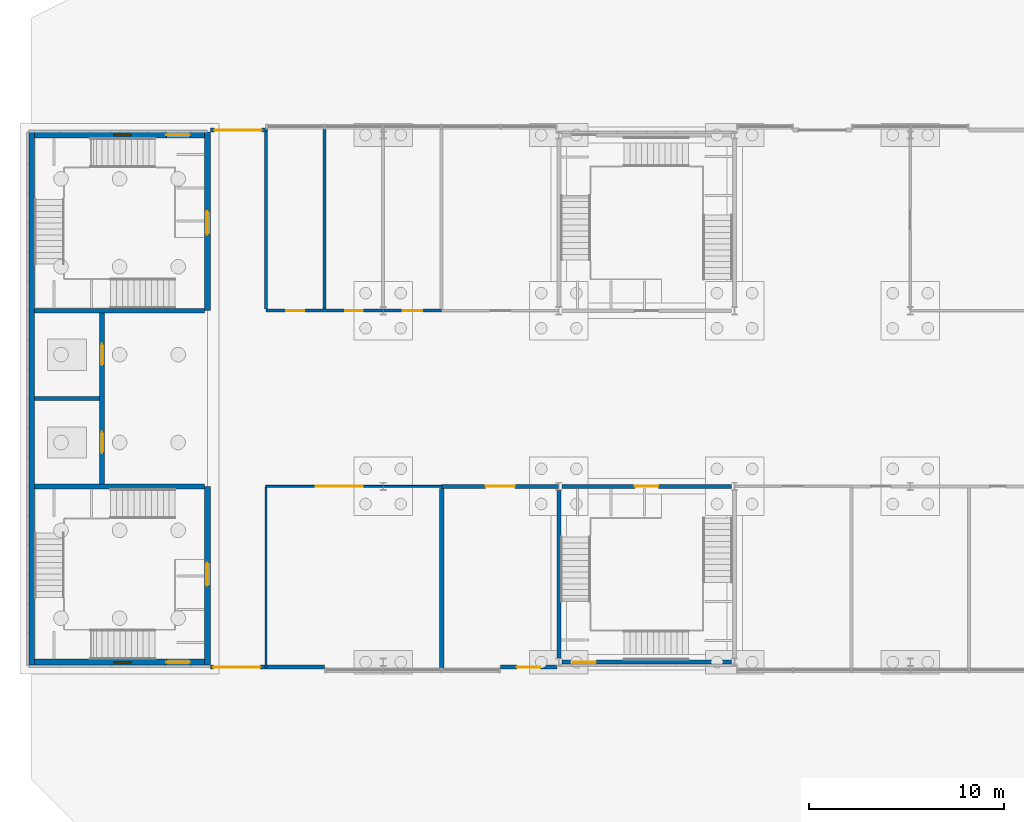
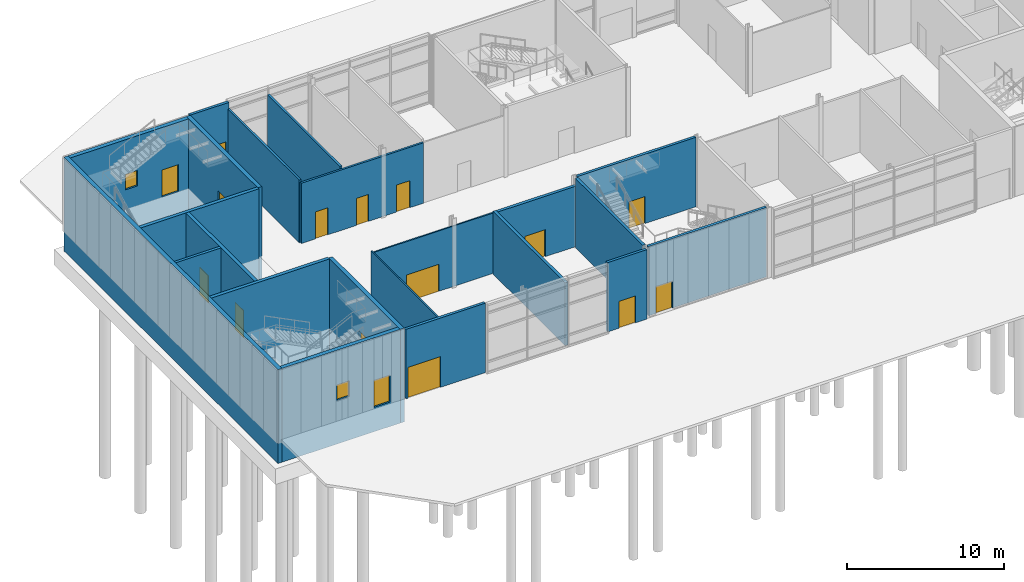
# One storey, part 27 of 45: 22 walls, 16 doors, 2 windows, 18 openings.
"""IFC4 building model written with IfcOpenShell, lengths in metres."""

import ifcopenshell
import ifcopenshell.guid

model = None  # the IFC model being written
_history = None  # IfcOwnerHistory: only IFC2X3 demands one
_inside = {}  # id of a spatial element -> (the spatial element, [elements in it])
_under = {}  # id of a project, library or spatial element -> (it, [spatial elements below it])
_declared = {}  # id of a project -> (the project, [libraries it declares])
_typed = {}  # id of a type object -> (the type object, [elements of that type])
_made_of = {}  # id of a material, layer set ... -> (it, [elements and type objects made of it])


def new_model(schema):
    """Start an empty IFC model of exactly this schema.

    Asked for "IFC4X3", IfcOpenShell would pick the latest addendum, in which some entities
    have other attributes; the version numbers below select the first issue.
    IFC2X3 requires an IfcOwnerHistory on every rooted entity: one is made here for all.
    """
    global model, _history
    if schema == "IFC4X3":
        model = ifcopenshell.file(schema_version=(4, 3, 0, 0))
    else:
        model = ifcopenshell.file(schema=schema)
    _inside.clear()
    _under.clear()
    _declared.clear()
    _typed.clear()
    _made_of.clear()
    _history = None
    if model.schema == "IFC2X3":
        org = make("IfcOrganization", Name="unknown")
        user = make(
            "IfcPersonAndOrganization",
            ThePerson=make("IfcPerson", FamilyName="unknown"),
            TheOrganization=org,
        )
        app = make(
            "IfcApplication",
            ApplicationDeveloper=org,
            Version="unknown",
            ApplicationFullName="unknown",
            ApplicationIdentifier="unknown",
        )
        _history = make(
            "IfcOwnerHistory",
            OwningUser=user,
            OwningApplication=app,
            ChangeAction="ADDED",
            CreationDate=0,
        )
    return model


def make(cls, **values):
    """One entity of the class cls with the attributes given. An attribute that is None is left unset."""
    return model.create_entity(
        cls, **{name: value for name, value in values.items() if value is not None}
    )


def rooted(cls, **values):
    """An entity with a GlobalId (a new one), such as an element, a storey or a relation."""
    return make(cls, GlobalId=ifcopenshell.guid.new(), OwnerHistory=_history, **values)


def si_unit(unit_type, name, prefix=None):
    """IfcSIUnit, for example si_unit("LENGTHUNIT", "METRE", prefix="MILLI")."""
    return make("IfcSIUnit", UnitType=unit_type, Prefix=prefix, Name=name)


def assignment(units):
    """IfcUnitAssignment: the units of a project."""
    return None if units is None else make("IfcUnitAssignment", Units=units)


def point(xyz):
    """IfcCartesianPoint."""
    return None if xyz is None else make("IfcCartesianPoint", Coordinates=xyz)


def direction(xyz):
    """IfcDirection."""
    return None if xyz is None else make("IfcDirection", DirectionRatios=xyz)


def frame(location, z_axis=None, x_axis=None):
    """IfcAxis2Placement3D, a coordinate frame: its origin and axes. An axis left out is left unset."""
    return make(
        "IfcAxis2Placement3D",
        Location=point(location),
        Axis=direction(z_axis),
        RefDirection=direction(x_axis),
    )


def frame_2d(location, x_axis=None):
    """IfcAxis2Placement2D, a coordinate frame in the plane: its origin and x axis."""
    return make(
        "IfcAxis2Placement2D", Location=point(location), RefDirection=direction(x_axis)
    )


def origin():
    """The frame at (0, 0, 0) with its axes left unset."""
    return frame((0.0, 0.0, 0.0))


def place(relative_to, where):
    """IfcLocalPlacement: puts the frame where relative to a parent placement (None: the world)."""
    return make(
        "IfcLocalPlacement", PlacementRelTo=relative_to, RelativePlacement=where
    )


def context(
    kind, dimensions, precision=None, world=None, true_north=None, identifier=None
):
    """IfcGeometricRepresentationContext, for example the 3D "Model" context."""
    return make(
        "IfcGeometricRepresentationContext",
        ContextIdentifier=identifier,
        ContextType=kind,
        CoordinateSpaceDimension=dimensions,
        Precision=precision,
        WorldCoordinateSystem=world,
        TrueNorth=true_north,
    )


def subcontext(parent, identifier, kind, view, scale=None):
    """IfcGeometricRepresentationSubContext, for example "Body" below "Model"."""
    return make(
        "IfcGeometricRepresentationSubContext",
        ContextIdentifier=identifier,
        ContextType=kind,
        ParentContext=parent,
        TargetScale=scale,
        TargetView=view,
    )


def project(units=None, contexts=None):
    """IfcProject with its units and contexts."""
    return rooted(
        "IfcProject",
        Name="project",
        RepresentationContexts=contexts,
        UnitsInContext=assignment(units),
    )


def spatial(cls, under=None, at=None, **own):
    """A site, building, storey or space (cls), placed at a placement, below another one or the project."""
    s = rooted(cls, ObjectPlacement=at, **own)
    if under is not None:
        _under.setdefault(under.id(), (under, []))[1].append(s)
    return s


def profile(cls, at=None, kind="AREA", **sizes):
    """A parametric profile (cls). Its sizes go by their IFC names, for example OverallWidth=200.0."""
    return make(cls, ProfileType=kind, Position=at, **sizes)


def rectangle(**sizes):
    """IfcRectangleProfileDef."""
    return profile("IfcRectangleProfileDef", **sizes)


def extrude(swept, where, along, depth):
    """IfcExtrudedAreaSolid: the profile swept, set in the frame where, extruded along a direction by depth."""
    return make(
        "IfcExtrudedAreaSolid",
        SweptArea=swept,
        Position=where,
        ExtrudedDirection=direction(along),
        Depth=depth,
    )


def shape(context_of_items, identifier, shape_type, items):
    """IfcShapeRepresentation: the items that make up one representation, for example the "Body"."""
    return make(
        "IfcShapeRepresentation",
        ContextOfItems=context_of_items,
        RepresentationIdentifier=identifier,
        RepresentationType=shape_type,
        Items=items,
    )


def material(Name=None, Category=None):
    """IfcMaterial."""
    return make("IfcMaterial", Name=Name, Category=Category)


def layer(
    of_material, thickness, ventilated=None, Name=None, Category=None, Priority=None
):
    """IfcMaterialLayer: one layer of a wall or slab, of a material (None: an air gap)."""
    return make(
        "IfcMaterialLayer",
        Material=of_material,
        LayerThickness=thickness,
        IsVentilated=ventilated,
        Name=Name,
        Category=Category,
        Priority=Priority,
    )


def layer_set(layers, Name=None):
    """IfcMaterialLayerSet."""
    return make("IfcMaterialLayerSet", MaterialLayers=layers, LayerSetName=Name)


def made_of(thing, what):
    """Note that an element or type object is made of a material, layer set ...; save() writes the relation."""
    if what is not None:
        _made_of.setdefault(what.id(), (what, []))[1].append(thing)
    return thing


def type_object(cls, material=None, **own):
    """A type object (cls), such as IfcWallType, which elements share."""
    return made_of(rooted(cls, **own), material)


def element(
    cls,
    number,
    at=None,
    inside=None,
    cuts=None,
    type_object=None,
    material=None,
    context=None,
    identifier="Body",
    shape_type=None,
    held_by="IfcProductDefinitionShape",
    body=None,
    shapes=None,
    **own,
):
    """One element of the class cls, such as IfcWall. Its Tag is "e" and its number.

    at: its placement. inside: the storey or other place that contains it. cuts: it is an
    opening in that element (IfcRelVoidsElement). A single representation is given by context,
    identifier, shape_type and body (its items); several are given by shapes. held_by: the class
    of the entity that holds the representations. save() writes the other relations.
    """
    e = rooted(cls, Tag="e%d" % number, ObjectPlacement=at, **own)
    if body is not None:
        shapes = [shape(context, identifier, shape_type, body)]
    if shapes is not None:
        e.Representation = make(held_by, Representations=shapes)
    if inside is not None:
        _inside.setdefault(inside.id(), (inside, []))[1].append(e)
    if cuts is not None:
        rooted(
            "IfcRelVoidsElement", RelatingBuildingElement=cuts, RelatedOpeningElement=e
        )
    if type_object is not None:
        _typed.setdefault(type_object.id(), (type_object, []))[1].append(e)
    return made_of(e, material)


def fill(opening, filler):
    """IfcRelFillsElement: the door or window that sits in an opening."""
    return rooted(
        "IfcRelFillsElement",
        RelatingOpeningElement=opening,
        RelatedBuildingElement=filler,
    )


def aggregate(whole, parts):
    """IfcRelAggregates: a whole, such as a stair, and the parts it consists of."""
    return rooted("IfcRelAggregates", RelatingObject=whole, RelatedObjects=parts)


def save(model, path):
    """Write the relations noted so far, then the file.

    IfcRelAggregates (storeys below a building ...), IfcRelContainedInSpatialStructure (elements
    in a storey), IfcRelDefinesByType, IfcRelAssociatesMaterial and IfcRelDeclares: one each for
    every whole, place, type object, material and project.
    """
    for whole, parts in _under.values():
        aggregate(whole, parts)
    for where, things in _inside.values():
        rooted(
            "IfcRelContainedInSpatialStructure",
            RelatedElements=things,
            RelatingStructure=where,
        )
    for kind, things in _typed.values():
        rooted("IfcRelDefinesByType", RelatedObjects=things, RelatingType=kind)
    for what, things in _made_of.values():
        rooted("IfcRelAssociatesMaterial", RelatedObjects=things, RelatingMaterial=what)
    for by, libraries in _declared.values():
        rooted("IfcRelDeclares", RelatingContext=by, RelatedDefinitions=libraries)
    model.write(path)


model = new_model("IFC4")

# Units and contexts
model_context = context("Model", 3, precision=1e-05, world=origin(), true_north=direction((0.0, 1.0)))
body_context = subcontext(model_context, "Body", "Model", "MODEL_VIEW")
ifc_project = project(units=[si_unit("LENGTHUNIT", "METRE"), si_unit("AREAUNIT", "SQUARE_METRE"), si_unit("VOLUMEUNIT", "CUBIC_METRE"), si_unit("PLANEANGLEUNIT", "RADIAN"), si_unit("MASSUNIT", "GRAM", prefix="KILO")], contexts=[model_context])

# Site, building, storey
site_placement = place(None, origin())
site = spatial("IfcSite", under=ifc_project, at=site_placement, CompositionType="ELEMENT")
building_placement = place(site_placement, origin())
building = spatial("IfcBuilding", under=site, at=building_placement, Name="Azimuth Sports and Learning Centre", CompositionType="ELEMENT")
storey_placement = place(building_placement, origin())
storey = spatial("IfcBuildingStorey", under=building, at=storey_placement, Name="L00", CompositionType="ELEMENT", Elevation=0.0)

# Wall
ifc_material_1 = material(Name="Dense masonry blockwork", Category="masonry")
ifc_layer_1 = layer(ifc_material_1, 0.199951171875)
ifc_layer_set_1 = layer_set([ifc_layer_1], Name="Dense masonry blockwork")
wall_type_1 = type_object("IfcWallType", Name="Blockwork wall 200 EI 120", PredefinedType="SOLIDWALL", material=ifc_layer_set_1)
wall_1_placement = place(storey_placement, frame((0.14990234375, 103.5, -1.89990234375), z_axis=(0.0, 0.0, 1.0), x_axis=(1.0, 0.0, 0.0)))
element("IfcWall", 1, at=wall_1_placement, inside=storey, type_object=wall_type_1, Name="SD-WW-1-L00", PredefinedType="SOLIDWALL", context=body_context, shape_type="SweptSolid", body=[
    extrude(rectangle(XDim=3.3251953125, YDim=0.199951171875, at=frame_2d((1.66259765625, 0.0))), origin(), (0.0, 0.0, 1.0), 7.2998046875),
])

# Wall, opening, door
ifc_material_2 = material(Name="Insulated cladding wall")
ifc_layer_2 = layer(ifc_material_2, 0.199951171875)
ifc_layer_set_2 = layer_set([ifc_layer_2], Name="Insulated cladding wall")
wall_type_2 = type_object("IfcWallType", Name="Entrance wall 200", PredefinedType="SOLIDWALL", material=ifc_layer_set_2)
wall_2_placement = place(storey_placement, frame((9.14990234375, 89.75, 0.0), z_axis=(0.0, 0.0, 1.0), x_axis=(1.0, 0.0, 0.0)))
wall_2 = element("IfcWall", 2, at=wall_2_placement, inside=storey, type_object=wall_type_2, Name="Entrance wall S-WING W-1 L00", PredefinedType="SOLIDWALL", context=body_context, shape_type="SweptSolid", body=[
    extrude(rectangle(XDim=5.85009765625, YDim=0.199951171875, at=frame_2d((2.925048828125, 0.0))), origin(), (0.0, 0.0, 1.0), 5.39990234375),
])
opening_1_placement = place(wall_2_placement, frame((0.14990234375, 0.0, 0.0)))
opening_1 = element("IfcOpeningElement", 3, at=opening_1_placement, cuts=wall_2, Name="Opening D00-001", PredefinedType="OPENING", context=body_context, shape_type="SweptSolid", body=[
    extrude(rectangle(XDim=2.39990234375, YDim=2.39990234375, at=frame_2d((1.199951171875, 1.199951171875))), frame((0.0, 0.11083984375, 0.0), z_axis=(0.0, -1.0, 0.0), x_axis=(1.0, 0.0, 0.0)), (0.0, 0.0, 1.0), 0.221923828125),
])
ifc_material_3 = material(Name="Steel", Category="steel")
door_type_1 = type_object("IfcDoorType", Name="Exterior door double leaf 2400x2400 FD60", OperationType="DOUBLE_DOOR_DOUBLE_SWING", PredefinedType="DOOR", material=ifc_material_3)
door_1_placement = place(opening_1_placement, frame((2.39990234375, 0.0, 0.0), z_axis=(0.0, 0.0, 1.0), x_axis=(-1.0, 0.0, 0.0)))
door_1 = element("IfcDoor", 4, at=door_1_placement, inside=storey, type_object=door_type_1, Name="Exterior door D00-001", OperationType="DOUBLE_DOOR_DOUBLE_SWING", OverallHeight=2.39990234375, OverallWidth=2.39990234375, PredefinedType="DOOR", context=body_context, shape_type="SweptSolid", body=[
    extrude(rectangle(XDim=2.39990234375, YDim=2.39990234375, at=frame_2d((1.199951171875, 1.199951171875))), frame((0.0, 0.02490234375, 0.0), z_axis=(0.0, -1.0, 0.0), x_axis=(1.0, 0.0, 0.0)), (0.0, 0.0, 1.0), 0.050048828125),
])
fill(opening_1, door_1)

wall_3_placement = place(storey_placement, frame((24.0, 89.75, 0.0), z_axis=(0.0, 0.0, 1.0), x_axis=(1.0, 0.0, 0.0)))
wall_3 = element("IfcWall", 5, at=wall_3_placement, inside=storey, type_object=wall_type_2, Name="Entrance wall S-WING W-1 L00", PredefinedType="SOLIDWALL", context=body_context, shape_type="SweptSolid", body=[
    extrude(rectangle(XDim=2.89990234375, YDim=0.199951171875, at=frame_2d((1.449951171875, 0.0))), origin(), (0.0, 0.0, 1.0), 5.39990234375),
])
opening_2_placement = place(wall_3_placement, frame((0.85009765625, 0.0, 0.0)))
opening_2 = element("IfcOpeningElement", 6, at=opening_2_placement, cuts=wall_3, Name="Opening D00-002", PredefinedType="OPENING", context=body_context, shape_type="SweptSolid", body=[
    extrude(rectangle(XDim=1.199951171875, YDim=2.10009765625, at=frame_2d((0.60009765625, 1.050048828125))), frame((0.0, 0.11083984375, 0.0), z_axis=(0.0, -1.0, 0.0), x_axis=(1.0, 0.0, 0.0)), (0.0, 0.0, 1.0), 0.221923828125),
])
ifc_material_4 = material(Name="Aluminium and glass", Category="aluminium")
door_type_2 = type_object("IfcDoorType", Name="Exterior door single leaf 1200x2100", OperationType="NOTDEFINED", PredefinedType="DOOR", material=ifc_material_4)
door_2_placement = place(opening_2_placement, frame((1.199951171875, 0.0, 0.0), z_axis=(0.0, 0.0, 1.0), x_axis=(-1.0, 0.0, 0.0)))
door_2 = element("IfcDoor", 7, at=door_2_placement, inside=storey, type_object=door_type_2, Name="Exterior door D00-002", OperationType="SINGLE_SWING_LEFT", OverallHeight=2.10009765625, OverallWidth=1.199951171875, PredefinedType="DOOR", context=body_context, shape_type="SweptSolid", body=[
    extrude(rectangle(XDim=1.199951171875, YDim=2.10009765625, at=frame_2d((0.60009765625, 1.050048828125))), frame((0.0, 0.02490234375, 0.0), z_axis=(0.0, -1.0, 0.0), x_axis=(1.0, 0.0, 0.0)), (0.0, 0.0, 1.0), 0.050048828125),
])
fill(opening_2, door_2)

wall_4_placement = place(storey_placement, frame((12.0, 117.25, 0.0), z_axis=(0.0, 0.0, 1.0), x_axis=(-1.0, 0.0, 0.0)))
wall_4 = element("IfcWall", 8, at=wall_4_placement, inside=storey, type_object=wall_type_2, Name="Entrance wall N-WING W-2 L00", PredefinedType="SOLIDWALL", context=body_context, shape_type="SweptSolid", body=[
    extrude(rectangle(XDim=2.85009765625, YDim=0.199951171875, at=frame_2d((1.425048828125, 0.0))), origin(), (0.0, 0.0, 1.0), 5.39990234375),
])
opening_3_placement = place(wall_4_placement, frame((0.22509765625, 0.0, 0.0)))
opening_3 = element("IfcOpeningElement", 9, at=opening_3_placement, cuts=wall_4, Name="Opening D00-023", PredefinedType="OPENING", context=body_context, shape_type="SweptSolid", body=[
    extrude(rectangle(XDim=2.39990234375, YDim=2.39990234375, at=frame_2d((1.199951171875, 1.199951171875))), frame((0.0, 0.11083984375, 0.0), z_axis=(0.0, -1.0, 0.0), x_axis=(1.0, 0.0, 0.0)), (0.0, 0.0, 1.0), 0.221923828125),
])
door_3_placement = place(opening_3_placement, frame((2.39990234375, 0.0, 0.0), z_axis=(0.0, 0.0, 1.0), x_axis=(-1.0, 0.0, 0.0)))
door_3 = element("IfcDoor", 10, at=door_3_placement, inside=storey, type_object=door_type_1, Name="Exterior door D00-023", OperationType="DOUBLE_DOOR_DOUBLE_SWING", OverallHeight=2.39990234375, OverallWidth=2.39990234375, PredefinedType="DOOR", context=body_context, shape_type="SweptSolid", body=[
    extrude(rectangle(XDim=2.39990234375, YDim=2.39990234375, at=frame_2d((1.199951171875, 1.199951171875))), frame((0.0, 0.02490234375, 0.0), z_axis=(0.0, -1.0, 0.0), x_axis=(1.0, 0.0, 0.0)), (0.0, 0.0, 1.0), 0.050048828125),
])
fill(opening_3, door_3)

ifc_material_5 = material(Name="Gypsum board on steel studs", Category="steel")
ifc_layer_3 = layer(ifc_material_5, 0.10009765625)
ifc_layer_set_3 = layer_set([ifc_layer_3], Name="Gypsum board on steel studs")
wall_type_3 = type_object("IfcWallType", Name="Partition 100 EI 30", PredefinedType="PARTITIONING", material=ifc_layer_set_3)
wall_5_placement = place(storey_placement, frame((12.0, 99.0, 0.0), z_axis=(0.0, 0.0, 1.0), x_axis=(1.0, 0.0, 0.0)))
wall_5 = element("IfcWall", 11, at=wall_5_placement, inside=storey, type_object=wall_type_3, Name="Partition 100 EI 30", PredefinedType="PARTITIONING", context=body_context, shape_type="SweptSolid", body=[
    extrude(rectangle(XDim=9.0, YDim=0.10009765625, at=frame_2d((4.5, 0.0))), origin(), (0.0, 0.0, 1.0), 4.699951171875),
])
opening_4_placement = place(wall_5_placement, frame((2.550048828125, 0.0, 0.0)))
opening_4 = element("IfcOpeningElement", 12, at=opening_4_placement, cuts=wall_5, Name="Opening D00-066", PredefinedType="OPENING", context=body_context, shape_type="SweptSolid", body=[
    extrude(rectangle(XDim=2.39990234375, YDim=2.10009765625, at=frame_2d((1.199951171875, 1.050048828125))), frame((0.0, 0.06103515625, 0.0), z_axis=(0.0, -1.0, 0.0), x_axis=(1.0, 0.0, 0.0)), (0.0, 0.0, 1.0), 0.1220703125),
])
ifc_material_6 = material(Name="Timber fire door set", Category="wood")
door_type_3 = type_object("IfcDoorType", Name="Timber door double 2400x2100 FD30S", OperationType="DOUBLE_DOOR_SINGLE_SWING", PredefinedType="DOOR", material=ifc_material_6)
door_4_placement = place(opening_4_placement, frame((2.39990234375, 0.0, 0.0), z_axis=(0.0, 0.0, 1.0), x_axis=(-1.0, 0.0, 0.0)))
door_4 = element("IfcDoor", 13, at=door_4_placement, inside=storey, type_object=door_type_3, Name="Door D00-066", OperationType="DOUBLE_DOOR_SINGLE_SWING", OverallHeight=2.10009765625, OverallWidth=2.39990234375, PredefinedType="DOOR", context=body_context, shape_type="SweptSolid", body=[
    extrude(rectangle(XDim=2.39990234375, YDim=2.10009765625, at=frame_2d((1.199951171875, 1.050048828125))), frame((0.0, 0.02490234375, 0.0), z_axis=(0.0, -1.0, 0.0), x_axis=(1.0, 0.0, 0.0)), (0.0, 0.0, 1.0), 0.050048828125),
])
fill(opening_4, door_4)

# Wall
wall_6_placement = place(storey_placement, frame((12.0, 89.699951171875, 0.0), z_axis=(0.0, 0.0, 1.0), x_axis=(0.0, 1.0, 0.0)))
element("IfcWall", 14, at=wall_6_placement, inside=storey, type_object=wall_type_3, Name="Partition 100 EI 30", PredefinedType="PARTITIONING", context=body_context, shape_type="SweptSolid", body=[
    extrude(rectangle(XDim=9.25, YDim=0.10009765625, at=frame_2d((4.625, 0.0))), origin(), (0.0, 0.0, 1.0), 4.889892578125),
])

# Wall, openings, doors
ifc_material_7 = material(Name="Lightweight blockwork, rendered", Category="masonry")
ifc_layer_4 = layer(ifc_material_7, 0.14990234375)
ifc_layer_set_4 = layer_set([ifc_layer_4], Name="Lightweight blockwork, rendered")
wall_type_4 = type_object("IfcWallType", Name="Partition 150 EI 60", PredefinedType="PARTITIONING", material=ifc_layer_set_4)
wall_7_placement = place(storey_placement, frame((12.0, 108.0, 0.0), z_axis=(0.0, 0.0, 1.0), x_axis=(1.0, 0.0, 0.0)))
wall_7 = element("IfcWall", 15, at=wall_7_placement, inside=storey, type_object=wall_type_4, Name="Partition 150 EI 60", PredefinedType="PARTITIONING", context=body_context, shape_type="SweptSolid", body=[
    extrude(rectangle(XDim=9.0, YDim=0.14990234375, at=frame_2d((4.5, 0.0))), origin(), (0.0, 0.0, 1.0), 4.699951171875),
])
opening_5_placement = place(wall_7_placement, frame((1.050048828125, 0.0, 0.0)))
opening_5 = element("IfcOpeningElement", 16, at=opening_5_placement, cuts=wall_7, Name="Opening D00-071", PredefinedType="OPENING", context=body_context, shape_type="SweptSolid", body=[
    extrude(rectangle(XDim=0.89990234375, YDim=2.10009765625, at=frame_2d((0.449951171875, 1.050048828125))), frame((0.0, 0.0859375, 0.0), z_axis=(0.0, -1.0, 0.0), x_axis=(1.0, 0.0, 0.0)), (0.0, 0.0, 1.0), 0.171875),
])
opening_6_placement = place(wall_7_placement, frame((4.050048828125, 0.0, 0.0)))
opening_6 = element("IfcOpeningElement", 17, at=opening_6_placement, cuts=wall_7, Name="Opening D00-072", PredefinedType="OPENING", context=body_context, shape_type="SweptSolid", body=[
    extrude(rectangle(XDim=0.89990234375, YDim=2.10009765625, at=frame_2d((0.449951171875, 1.050048828125))), frame((0.0, 0.0859375, 0.0), z_axis=(0.0, -1.0, 0.0), x_axis=(1.0, 0.0, 0.0)), (0.0, 0.0, 1.0), 0.171875),
])
opening_7_placement = place(wall_7_placement, frame((7.0, 0.0, 0.0)))
opening_7 = element("IfcOpeningElement", 18, at=opening_7_placement, cuts=wall_7, Name="Opening D00-073", PredefinedType="OPENING", context=body_context, shape_type="SweptSolid", body=[
    extrude(rectangle(XDim=1.0, YDim=2.10009765625, at=frame_2d((0.5, 1.050048828125))), frame((0.0, 0.0859375, 0.0), z_axis=(0.0, -1.0, 0.0), x_axis=(1.0, 0.0, 0.0)), (0.0, 0.0, 1.0), 0.171875),
])
ifc_material_8 = material(Name="Timber fire door set", Category="wood")
door_type_4 = type_object("IfcDoorType", Name="Timber door single 1000x2100 FD60", OperationType="NOTDEFINED", PredefinedType="DOOR", material=ifc_material_8)
door_5_placement = place(opening_7_placement, origin())
door_5 = element("IfcDoor", 19, at=door_5_placement, inside=storey, type_object=door_type_4, Name="Door D00-073", OperationType="SINGLE_SWING_LEFT", OverallHeight=2.10009765625, OverallWidth=1.0, PredefinedType="DOOR", context=body_context, shape_type="SweptSolid", body=[
    extrude(rectangle(XDim=1.0, YDim=2.10009765625, at=frame_2d((0.5, 1.050048828125))), frame((0.0, 0.02490234375, 0.0), z_axis=(0.0, -1.0, 0.0), x_axis=(1.0, 0.0, 0.0)), (0.0, 0.0, 1.0), 0.050048828125),
])
fill(opening_7, door_5)
ifc_material_9 = material(Name="Timber fire door set", Category="wood")
door_type_5 = type_object("IfcDoorType", Name="Timber door single 900x2100 FD60", OperationType="NOTDEFINED", PredefinedType="DOOR", material=ifc_material_9)
door_6_placement = place(opening_5_placement, origin())
door_6 = element("IfcDoor", 20, at=door_6_placement, inside=storey, type_object=door_type_5, Name="Door D00-071", OperationType="SINGLE_SWING_RIGHT", OverallHeight=2.10009765625, OverallWidth=0.89990234375, PredefinedType="DOOR", context=body_context, shape_type="SweptSolid", body=[
    extrude(rectangle(XDim=0.89990234375, YDim=2.10009765625, at=frame_2d((0.449951171875, 1.050048828125))), frame((0.0, 0.02490234375, 0.0), z_axis=(0.0, -1.0, 0.0), x_axis=(1.0, 0.0, 0.0)), (0.0, 0.0, 1.0), 0.050048828125),
])
fill(opening_5, door_6)
door_7_placement = place(opening_6_placement, origin())
door_7 = element("IfcDoor", 21, at=door_7_placement, inside=storey, type_object=door_type_5, Name="Door D00-072", OperationType="SINGLE_SWING_LEFT", OverallHeight=2.10009765625, OverallWidth=0.89990234375, PredefinedType="DOOR", context=body_context, shape_type="SweptSolid", body=[
    extrude(rectangle(XDim=0.89990234375, YDim=2.10009765625, at=frame_2d((0.449951171875, 1.050048828125))), frame((0.0, 0.02490234375, 0.0), z_axis=(0.0, -1.0, 0.0), x_axis=(1.0, 0.0, 0.0)), (0.0, 0.0, 1.0), 0.050048828125),
])
fill(opening_6, door_7)

# Walls
for number, where, z_axis, x_axis, name in (
    (22, (12.0, 108.074951171875, 0.0), (0.0, 0.0, 1.0), (0.0, 1.0, 0.0), "Partition 150 EI 60"),
    (23, (15.0, 108.074951171875, 0.0), (0.0, 0.0, 1.0), (0.0, 1.0, 0.0), "Partition 150 EI 60"),
):
    element("IfcWall", number, at=place(storey_placement, frame(where, z_axis=z_axis, x_axis=x_axis)), inside=storey, type_object=wall_type_4, Name=name, PredefinedType="PARTITIONING", context=body_context, shape_type="SweptSolid", body=[
        extrude(rectangle(XDim=9.22509765625, YDim=0.14990234375, at=frame_2d((4.612548828125, 0.0))), origin(), (0.0, 0.0, 1.0), 4.889892578125),
    ])

# Wall, opening, door
ifc_material_10 = material(Name="Lightweight blockwork, rendered", Category="masonry")
ifc_layer_5 = layer(ifc_material_10, 0.215087890625)
ifc_layer_set_5 = layer_set([ifc_layer_5], Name="Lightweight blockwork, rendered")
wall_type_5 = type_object("IfcWallType", Name="Partition 215 EI 60", PredefinedType="PARTITIONING", material=ifc_layer_set_5)
wall_8_placement = place(storey_placement, frame((21.0, 99.0, 0.0), z_axis=(0.0, 0.0, 1.0), x_axis=(1.0, 0.0, 0.0)))
wall_8 = element("IfcWall", 24, at=wall_8_placement, inside=storey, type_object=wall_type_5, Name="Partition 215 EI 60", PredefinedType="PARTITIONING", context=body_context, shape_type="SweptSolid", body=[
    extrude(rectangle(XDim=6.0, YDim=0.215087890625, at=frame_2d((3.0, 0.0))), origin(), (0.0, 0.0, 1.0), 4.699951171875),
])
opening_8_placement = place(wall_8_placement, frame((2.25, 0.0, 0.0)))
opening_8 = element("IfcOpeningElement", 25, at=opening_8_placement, cuts=wall_8, Name="Opening D00-067", PredefinedType="OPENING", context=body_context, shape_type="SweptSolid", body=[
    extrude(rectangle(XDim=1.5, YDim=2.10009765625, at=frame_2d((0.75, 1.050048828125))), frame((0.0, 0.11865234375, 0.0), z_axis=(0.0, -1.0, 0.0), x_axis=(1.0, 0.0, 0.0)), (0.0, 0.0, 1.0), 0.237060546875),
])
ifc_material_11 = material(Name="Timber fire door set", Category="wood")
door_type_6 = type_object("IfcDoorType", Name="Timber door double 1500x2100 FD60", OperationType="DOUBLE_DOOR_SINGLE_SWING", PredefinedType="DOOR", material=ifc_material_11)
door_8_placement = place(opening_8_placement, frame((1.5, 0.0, 0.0), z_axis=(0.0, 0.0, 1.0), x_axis=(-1.0, 0.0, 0.0)))
door_8 = element("IfcDoor", 26, at=door_8_placement, inside=storey, type_object=door_type_6, Name="Door D00-067", OperationType="DOUBLE_DOOR_SINGLE_SWING", OverallHeight=2.10009765625, OverallWidth=1.5, PredefinedType="DOOR", context=body_context, shape_type="SweptSolid", body=[
    extrude(rectangle(XDim=1.5, YDim=2.10009765625, at=frame_2d((0.75, 1.050048828125))), frame((0.0, 0.02490234375, 0.0), z_axis=(0.0, -1.0, 0.0), x_axis=(1.0, 0.0, 0.0)), (0.0, 0.0, 1.0), 0.050048828125),
])
fill(opening_8, door_8)

# Wall
wall_9_placement = place(storey_placement, frame((21.0, 89.699951171875, 0.0), z_axis=(0.0, 0.0, 1.0), x_axis=(0.0, 1.0, 0.0)))
element("IfcWall", 27, at=wall_9_placement, inside=storey, type_object=wall_type_5, Name="Partition 215 EI 60", PredefinedType="PARTITIONING", context=body_context, shape_type="SweptSolid", body=[
    extrude(rectangle(XDim=9.192626953125, YDim=0.215087890625, at=frame_2d((4.59619140625, 0.0))), origin(), (0.0, 0.0, 1.0), 4.889892578125),
])

# Wall, opening, door
ifc_material_12 = material(Name="Concrete C40/50", Category="concrete")
ifc_layer_6 = layer(ifc_material_12, 0.199951171875)
ifc_layer_set_6 = layer_set([ifc_layer_6], Name="Concrete C40/50")
wall_type_6 = type_object("IfcWallType", Name="RC cell wall 200 EI 120", PredefinedType="SHEAR", material=ifc_layer_set_6)
wall_10_placement = place(storey_placement, frame((27.14990234375, 99.0, 0.0), z_axis=(0.0, 0.0, 1.0), x_axis=(1.0, 0.0, 0.0)))
wall_10 = element("IfcWall", 28, at=wall_10_placement, inside=storey, type_object=wall_type_6, Name="CE-WM1-N-L00", PredefinedType="SHEAR", context=body_context, shape_type="SweptSolid", body=[
    extrude(rectangle(XDim=8.7001953125, YDim=0.199951171875, at=frame_2d((4.35009765625, 0.0))), origin(), (0.0, 0.0, 1.0), 5.39990234375),
])
opening_9_placement = place(wall_10_placement, frame((3.75, 0.0, 0.0)))
opening_9 = element("IfcOpeningElement", 29, at=opening_9_placement, cuts=wall_10, Name="Opening D00-040", PredefinedType="OPENING", context=body_context, shape_type="SweptSolid", body=[
    extrude(rectangle(XDim=1.199951171875, YDim=2.10009765625, at=frame_2d((0.60009765625, 1.050048828125))), frame((0.0, 0.11083984375, 0.0), z_axis=(0.0, -1.0, 0.0), x_axis=(1.0, 0.0, 0.0)), (0.0, 0.0, 1.0), 0.221923828125),
])
ifc_material_13 = material(Name="Steel", Category="steel")
door_type_7 = type_object("IfcDoorType", Name="Stair fire door 1200 x 2100", OperationType="NOTDEFINED", PredefinedType="DOOR", material=ifc_material_13)
door_9_placement = place(opening_9_placement, origin())
door_9 = element("IfcDoor", 30, at=door_9_placement, inside=storey, type_object=door_type_7, Name="Stair door WM1 L00", OperationType="SINGLE_SWING_LEFT", OverallHeight=2.10009765625, OverallWidth=1.199951171875, PredefinedType="DOOR", context=body_context, shape_type="SweptSolid", body=[
    extrude(rectangle(XDim=1.199951171875, YDim=2.10009765625, at=frame_2d((0.60009765625, 1.050048828125))), frame((0.0, 0.02490234375, 0.0), z_axis=(0.0, -1.0, 0.0), x_axis=(1.0, 0.0, 0.0)), (0.0, 0.0, 1.0), 0.050048828125),
])
fill(opening_9, door_9)

# Walls
wall_11_placement = place(storey_placement, frame((27.0, 90.199951171875, 0.0), z_axis=(0.0, 0.0, 1.0), x_axis=(0.0, 1.0, 0.0)))
element("IfcWall", 31, at=wall_11_placement, inside=storey, type_object=wall_type_6, Name="CE-WM1-W-L00", PredefinedType="SHEAR", context=body_context, shape_type="SweptSolid", body=[
    extrude(rectangle(XDim=8.60009765625, YDim=0.199951171875, at=frame_2d((4.300048828125, 0.0))), origin(), (0.0, 0.0, 1.0), 5.39990234375),
])
ifc_material_14 = material(Name="Concrete C40/50", Category="concrete")
ifc_layer_7 = layer(ifc_material_14, 0.25)
ifc_layer_set_7 = layer_set([ifc_layer_7], Name="Concrete C40/50")
wall_type_7 = type_object("IfcWallType", Name="RC core wall 250", PredefinedType="SHEAR", material=ifc_layer_set_7)
for number, where, z_axis, x_axis, name in (
    (32, (0.14990234375, 99.0, -1.89990234375), (0.0, 0.0, 1.0), (1.0, 0.0, 0.0), "Core wall WW D1 L00"),
    (33, (0.14990234375, 108.0, -1.89990234375), (0.0, 0.0, 1.0), (1.0, 0.0, 0.0), "Core wall WW D2 L00"),
):
    element("IfcWall", number, at=place(storey_placement, frame(where, z_axis=z_axis, x_axis=x_axis)), inside=storey, type_object=wall_type_7, Name=name, PredefinedType="SHEAR", context=body_context, shape_type="SweptSolid", body=[
        extrude(rectangle(XDim=8.7001953125, YDim=0.25, at=frame_2d((4.35009765625, 0.0))), origin(), (0.0, 0.0, 1.0), 7.2998046875),
    ])

# Wall, openings, doors
wall_12_placement = place(storey_placement, frame((3.60009765625, 99.125, -1.89990234375), z_axis=(0.0, 0.0, 1.0), x_axis=(0.0, 1.0, 0.0)))
wall_12 = element("IfcWall", 34, at=wall_12_placement, inside=storey, type_object=wall_type_7, Name="Core wall WW LB1 L00", PredefinedType="SHEAR", context=body_context, shape_type="SweptSolid", body=[
    extrude(rectangle(XDim=8.75, YDim=0.25, at=frame_2d((4.375, 0.0))), origin(), (0.0, 0.0, 1.0), 7.2998046875),
])
opening_10_placement = place(wall_12_placement, frame((1.574951171875, 0.0, 1.89990234375)))
opening_10 = element("IfcOpeningElement", 35, at=opening_10_placement, cuts=wall_12, Name="Opening D00-060", PredefinedType="OPENING", context=body_context, shape_type="SweptSolid", body=[
    extrude(rectangle(XDim=1.10009765625, YDim=2.10009765625, at=frame_2d((0.550048828125, 1.050048828125))), frame((0.0, 0.135986328125, 0.0), z_axis=(0.0, -1.0, 0.0), x_axis=(1.0, 0.0, 0.0)), (0.0, 0.0, 1.0), 0.27197265625),
])
opening_11_placement = place(wall_12_placement, frame((6.074951171875, 0.0, 1.89990234375)))
opening_11 = element("IfcOpeningElement", 36, at=opening_11_placement, cuts=wall_12, Name="Opening D00-061", PredefinedType="OPENING", context=body_context, shape_type="SweptSolid", body=[
    extrude(rectangle(XDim=1.10009765625, YDim=2.10009765625, at=frame_2d((0.550048828125, 1.050048828125))), frame((0.0, 0.135986328125, 0.0), z_axis=(0.0, -1.0, 0.0), x_axis=(1.0, 0.0, 0.0)), (0.0, 0.0, 1.0), 0.27197265625),
])
ifc_material_15 = material(Name="Stainless steel", Category="steel")
door_type_8 = type_object("IfcDoorType", Name="Lift landing door 1100 x 2100", OperationType="DOUBLE_DOOR_SLIDING", PredefinedType="DOOR", material=ifc_material_15)
door_10_placement = place(opening_10_placement, origin())
door_10 = element("IfcDoor", 37, at=door_10_placement, inside=storey, type_object=door_type_8, Name="Landing door LWW1 L00", OperationType="DOUBLE_DOOR_SLIDING", OverallHeight=2.10009765625, OverallWidth=1.10009765625, PredefinedType="DOOR", context=body_context, shape_type="SweptSolid", body=[
    extrude(rectangle(XDim=1.10009765625, YDim=2.10009765625, at=frame_2d((0.550048828125, 1.050048828125))), frame((0.0, 0.02490234375, 0.0), z_axis=(0.0, -1.0, 0.0), x_axis=(1.0, 0.0, 0.0)), (0.0, 0.0, 1.0), 0.050048828125),
])
fill(opening_10, door_10)
door_11_placement = place(opening_11_placement, origin())
door_11 = element("IfcDoor", 38, at=door_11_placement, inside=storey, type_object=door_type_8, Name="Landing door LWW2 L00", OperationType="DOUBLE_DOOR_SLIDING", OverallHeight=2.10009765625, OverallWidth=1.10009765625, PredefinedType="DOOR", context=body_context, shape_type="SweptSolid", body=[
    extrude(rectangle(XDim=1.10009765625, YDim=2.10009765625, at=frame_2d((0.550048828125, 1.050048828125))), frame((0.0, 0.02490234375, 0.0), z_axis=(0.0, -1.0, 0.0), x_axis=(1.0, 0.0, 0.0)), (0.0, 0.0, 1.0), 0.050048828125),
])
fill(opening_11, door_11)

# Wall, opening, door
ifc_material_16 = material(Name="Concrete C40/50", Category="concrete")
ifc_layer_8 = layer(ifc_material_16, 0.300048828125)
ifc_layer_set_8 = layer_set([ifc_layer_8], Name="Concrete C40/50")
wall_type_8 = type_object("IfcWallType", Name="RC core wall 300", PredefinedType="SHEAR", material=ifc_layer_set_8)
wall_13_placement = place(storey_placement, frame((9.0, 89.85009765625, -1.89990234375), z_axis=(0.0, 0.0, 1.0), x_axis=(0.0, 1.0, 0.0)))
wall_13 = element("IfcWall", 39, at=wall_13_placement, inside=storey, type_object=wall_type_8, Name="Core wall WW ES L00", PredefinedType="SHEAR", context=body_context, shape_type="SweptSolid", body=[
    extrude(rectangle(XDim=9.14990234375, YDim=0.300048828125, at=frame_2d((4.574951171875, 0.0))), origin(), (0.0, 0.0, 1.0), 7.2998046875),
])
opening_12_placement = place(wall_13_placement, frame((4.050048828125, 0.0, 1.89990234375)))
opening_12 = element("IfcOpeningElement", 40, at=opening_12_placement, cuts=wall_13, Name="Opening D00-032", PredefinedType="OPENING", context=body_context, shape_type="SweptSolid", body=[
    extrude(rectangle(XDim=1.199951171875, YDim=2.10009765625, at=frame_2d((0.60009765625, 1.050048828125))), frame((0.0, 0.1611328125, 0.0), z_axis=(0.0, -1.0, 0.0), x_axis=(1.0, 0.0, 0.0)), (0.0, 0.0, 1.0), 0.322021484375),
])
door_12_placement = place(opening_12_placement, frame((1.199951171875, 0.0, 0.0), z_axis=(0.0, 0.0, 1.0), x_axis=(-1.0, 0.0, 0.0)))
door_12 = element("IfcDoor", 41, at=door_12_placement, inside=storey, type_object=door_type_7, Name="Stair door WW1 L00", OperationType="SINGLE_SWING_LEFT", OverallHeight=2.10009765625, OverallWidth=1.199951171875, PredefinedType="DOOR", context=body_context, shape_type="SweptSolid", body=[
    extrude(rectangle(XDim=1.199951171875, YDim=2.10009765625, at=frame_2d((0.60009765625, 1.050048828125))), frame((0.0, 0.02490234375, 0.0), z_axis=(0.0, -1.0, 0.0), x_axis=(1.0, 0.0, 0.0)), (0.0, 0.0, 1.0), 0.050048828125),
])
fill(opening_12, door_12)

wall_14_placement = place(storey_placement, frame((9.0, 108.0, -1.89990234375), z_axis=(0.0, 0.0, 1.0), x_axis=(0.0, 1.0, 0.0)))
wall_14 = element("IfcWall", 42, at=wall_14_placement, inside=storey, type_object=wall_type_8, Name="Core wall WW EN L00", PredefinedType="SHEAR", context=body_context, shape_type="SweptSolid", body=[
    extrude(rectangle(XDim=9.14990234375, YDim=0.300048828125, at=frame_2d((4.574951171875, 0.0))), origin(), (0.0, 0.0, 1.0), 7.2998046875),
])
opening_13_placement = place(wall_14_placement, frame((3.89990234375, 0.0, 1.89990234375)))
opening_13 = element("IfcOpeningElement", 43, at=opening_13_placement, cuts=wall_14, Name="Opening D00-034", PredefinedType="OPENING", context=body_context, shape_type="SweptSolid", body=[
    extrude(rectangle(XDim=1.199951171875, YDim=2.10009765625, at=frame_2d((0.60009765625, 1.050048828125))), frame((0.0, 0.1611328125, 0.0), z_axis=(0.0, -1.0, 0.0), x_axis=(1.0, 0.0, 0.0)), (0.0, 0.0, 1.0), 0.322021484375),
])
door_13_placement = place(opening_13_placement, frame((1.199951171875, 0.0, 0.0), z_axis=(0.0, 0.0, 1.0), x_axis=(-1.0, 0.0, 0.0)))
door_13 = element("IfcDoor", 44, at=door_13_placement, inside=storey, type_object=door_type_7, Name="Stair door WW2 L00", OperationType="SINGLE_SWING_RIGHT", OverallHeight=2.10009765625, OverallWidth=1.199951171875, PredefinedType="DOOR", context=body_context, shape_type="SweptSolid", body=[
    extrude(rectangle(XDim=1.199951171875, YDim=2.10009765625, at=frame_2d((0.60009765625, 1.050048828125))), frame((0.0, 0.02490234375, 0.0), z_axis=(0.0, -1.0, 0.0), x_axis=(1.0, 0.0, 0.0)), (0.0, 0.0, 1.0), 0.050048828125),
])
fill(opening_13, door_13)

ifc_material_17 = material(Name="Concrete C40/50", Category="concrete")
ifc_layer_9 = layer(ifc_material_17, 0.199951171875)
ifc_layer_set_9 = layer_set([ifc_layer_9], Name="Concrete C40/50")
wall_type_9 = type_object("IfcWallType", Name="RC external cell wall 200 EI 120", PredefinedType="SHEAR", material=ifc_layer_set_9)
wall_15_placement = place(storey_placement, frame((27.14990234375, 90.0, 0.0), z_axis=(0.0, 0.0, 1.0), x_axis=(1.0, 0.0, 0.0)))
wall_15 = element("IfcWall", 45, at=wall_15_placement, inside=storey, type_object=wall_type_9, Name="CE-WM1-S-L00", PredefinedType="SHEAR", context=body_context, shape_type="SweptSolid", body=[
    extrude(rectangle(XDim=8.7001953125, YDim=0.199951171875, at=frame_2d((4.35009765625, 0.0))), origin(), (0.0, 0.0, 1.0), 5.39990234375),
])
opening_14_placement = place(wall_15_placement, frame((0.550048828125, 0.0, 0.0)))
opening_14 = element("IfcOpeningElement", 46, at=opening_14_placement, cuts=wall_15, Name="Opening D00-041", PredefinedType="OPENING", context=body_context, shape_type="SweptSolid", body=[
    extrude(rectangle(XDim=1.199951171875, YDim=2.10009765625, at=frame_2d((0.60009765625, 1.050048828125))), frame((0.0, 0.11083984375, 0.0), z_axis=(0.0, -1.0, 0.0), x_axis=(1.0, 0.0, 0.0)), (0.0, 0.0, 1.0), 0.221923828125),
])
door_14_placement = place(opening_14_placement, frame((1.199951171875, 0.0, 0.0), z_axis=(0.0, 0.0, 1.0), x_axis=(-1.0, 0.0, 0.0)))
door_14 = element("IfcDoor", 47, at=door_14_placement, inside=storey, type_object=door_type_7, Name="Stair door WM1 L00 exit", OperationType="SINGLE_SWING_RIGHT", OverallHeight=2.10009765625, OverallWidth=1.199951171875, PredefinedType="DOOR", context=body_context, shape_type="SweptSolid", body=[
    extrude(rectangle(XDim=1.199951171875, YDim=2.10009765625, at=frame_2d((0.60009765625, 1.050048828125))), frame((0.0, 0.02490234375, 0.0), z_axis=(0.0, -1.0, 0.0), x_axis=(1.0, 0.0, 0.0)), (0.0, 0.0, 1.0), 0.050048828125),
])
fill(opening_14, door_14)

# Wall, openings, door, window
ifc_material_18 = material(Name="Concrete C40/50", Category="concrete")
ifc_layer_10 = layer(ifc_material_18, 0.300048828125)
ifc_layer_set_10 = layer_set([ifc_layer_10], Name="Concrete C40/50")
wall_type_10 = type_object("IfcWallType", Name="RC external core wall 300", PredefinedType="SHEAR", material=ifc_layer_set_10)
wall_16_placement = place(storey_placement, frame((0.14990234375, 90.0, -1.89990234375), z_axis=(0.0, 0.0, 1.0), x_axis=(1.0, 0.0, 0.0)))
wall_16 = element("IfcWall", 48, at=wall_16_placement, inside=storey, type_object=wall_type_10, Name="Core wall WW S L00", PredefinedType="SHEAR", context=body_context, shape_type="SweptSolid", body=[
    extrude(rectangle(XDim=8.7001953125, YDim=0.300048828125, at=frame_2d((4.35009765625, 0.0))), origin(), (0.0, 0.0, 1.0), 7.2998046875),
])
opening_15_placement = place(wall_16_placement, frame((4.050048828125, 0.0, 3.39990234375)))
opening_15 = element("IfcOpeningElement", 49, at=opening_15_placement, cuts=wall_16, Name="Opening W00-001", PredefinedType="OPENING", context=body_context, shape_type="SweptSolid", body=[
    extrude(rectangle(XDim=0.89990234375, YDim=1.199951171875, at=frame_2d((0.449951171875, 0.60009765625))), frame((0.0, 0.1611328125, 0.0), z_axis=(0.0, -1.0, 0.0), x_axis=(1.0, 0.0, 0.0)), (0.0, 0.0, 1.0), 0.322021484375),
])
opening_16_placement = place(wall_16_placement, frame((6.75, 0.0, 1.89990234375)))
opening_16 = element("IfcOpeningElement", 50, at=opening_16_placement, cuts=wall_16, Name="Opening D00-033", PredefinedType="OPENING", context=body_context, shape_type="SweptSolid", body=[
    extrude(rectangle(XDim=1.199951171875, YDim=2.10009765625, at=frame_2d((0.60009765625, 1.050048828125))), frame((0.0, 0.1611328125, 0.0), z_axis=(0.0, -1.0, 0.0), x_axis=(1.0, 0.0, 0.0)), (0.0, 0.0, 1.0), 0.322021484375),
])
door_15_placement = place(opening_16_placement, frame((1.199951171875, 0.0, 0.0), z_axis=(0.0, 0.0, 1.0), x_axis=(-1.0, 0.0, 0.0)))
door_15 = element("IfcDoor", 51, at=door_15_placement, inside=storey, type_object=door_type_7, Name="Stair door WW1 L00 exit", OperationType="SINGLE_SWING_LEFT", OverallHeight=2.10009765625, OverallWidth=1.199951171875, PredefinedType="DOOR", context=body_context, shape_type="SweptSolid", body=[
    extrude(rectangle(XDim=1.199951171875, YDim=2.10009765625, at=frame_2d((0.60009765625, 1.050048828125))), frame((0.0, 0.02490234375, 0.0), z_axis=(0.0, -1.0, 0.0), x_axis=(1.0, 0.0, 0.0)), (0.0, 0.0, 1.0), 0.050048828125),
])
fill(opening_16, door_15)
ifc_material_19 = material(Name="Aluminium and glass", Category="aluminium")
window_type = type_object("IfcWindowType", Name="Stair window end core 900x1200", PartitioningType="SINGLE_PANEL", PredefinedType="WINDOW", material=ifc_material_19)
window_1_placement = place(opening_15_placement, origin())
window_1 = element("IfcWindow", 52, at=window_1_placement, inside=storey, type_object=window_type, Name="Window W00-001", OverallHeight=1.199951171875, OverallWidth=0.89990234375, PartitioningType="SINGLE_PANEL", PredefinedType="WINDOW", context=body_context, shape_type="SweptSolid", body=[
    extrude(rectangle(XDim=0.89990234375, YDim=1.199951171875, at=frame_2d((0.449951171875, 0.60009765625))), frame((0.0, 0.030029296875, 0.0), z_axis=(0.0, -1.0, 0.0), x_axis=(1.0, 0.0, 0.0)), (0.0, 0.0, 1.0), 0.06005859375),
])
fill(opening_15, window_1)

wall_17_placement = place(storey_placement, frame((0.14990234375, 117.0, -1.89990234375), z_axis=(0.0, 0.0, 1.0), x_axis=(1.0, 0.0, 0.0)))
wall_17 = element("IfcWall", 53, at=wall_17_placement, inside=storey, type_object=wall_type_10, Name="Core wall WW N L00", PredefinedType="SHEAR", context=body_context, shape_type="SweptSolid", body=[
    extrude(rectangle(XDim=8.7001953125, YDim=0.300048828125, at=frame_2d((4.35009765625, 0.0))), origin(), (0.0, 0.0, 1.0), 7.2998046875),
])
opening_17_placement = place(wall_17_placement, frame((4.050048828125, 0.0, 3.39990234375)))
opening_17 = element("IfcOpeningElement", 54, at=opening_17_placement, cuts=wall_17, Name="Opening W00-008", PredefinedType="OPENING", context=body_context, shape_type="SweptSolid", body=[
    extrude(rectangle(XDim=0.89990234375, YDim=1.199951171875, at=frame_2d((0.449951171875, 0.60009765625))), frame((0.0, 0.1611328125, 0.0), z_axis=(0.0, -1.0, 0.0), x_axis=(1.0, 0.0, 0.0)), (0.0, 0.0, 1.0), 0.322021484375),
])
opening_18_placement = place(wall_17_placement, frame((6.75, 0.0, 1.89990234375)))
opening_18 = element("IfcOpeningElement", 55, at=opening_18_placement, cuts=wall_17, Name="Opening D00-035", PredefinedType="OPENING", context=body_context, shape_type="SweptSolid", body=[
    extrude(rectangle(XDim=1.199951171875, YDim=2.10009765625, at=frame_2d((0.60009765625, 1.050048828125))), frame((0.0, 0.1611328125, 0.0), z_axis=(0.0, -1.0, 0.0), x_axis=(1.0, 0.0, 0.0)), (0.0, 0.0, 1.0), 0.322021484375),
])
door_16_placement = place(opening_18_placement, origin())
door_16 = element("IfcDoor", 56, at=door_16_placement, inside=storey, type_object=door_type_7, Name="Stair door WW2 L00 exit", OperationType="SINGLE_SWING_RIGHT", OverallHeight=2.10009765625, OverallWidth=1.199951171875, PredefinedType="DOOR", context=body_context, shape_type="SweptSolid", body=[
    extrude(rectangle(XDim=1.199951171875, YDim=2.10009765625, at=frame_2d((0.60009765625, 1.050048828125))), frame((0.0, 0.02490234375, 0.0), z_axis=(0.0, -1.0, 0.0), x_axis=(1.0, 0.0, 0.0)), (0.0, 0.0, 1.0), 0.050048828125),
])
fill(opening_18, door_16)
window_2_placement = place(opening_17_placement, origin())
window_2 = element("IfcWindow", 57, at=window_2_placement, inside=storey, type_object=window_type, Name="Window W00-008", OverallHeight=1.199951171875, OverallWidth=0.89990234375, PartitioningType="SINGLE_PANEL", PredefinedType="WINDOW", context=body_context, shape_type="SweptSolid", body=[
    extrude(rectangle(XDim=0.89990234375, YDim=1.199951171875, at=frame_2d((0.449951171875, 0.60009765625))), frame((0.0, 0.030029296875, 0.0), z_axis=(0.0, -1.0, 0.0), x_axis=(1.0, 0.0, 0.0)), (0.0, 0.0, 1.0), 0.06005859375),
])
fill(opening_17, window_2)

# Wall
wall_18_placement = place(storey_placement, frame((0.0, 89.85009765625, -1.89990234375), z_axis=(0.0, 0.0, 1.0), x_axis=(0.0, 1.0, 0.0)))
element("IfcWall", 58, at=wall_18_placement, inside=storey, type_object=wall_type_10, Name="Core wall WW W L00", PredefinedType="SHEAR", context=body_context, shape_type="SweptSolid", body=[
    extrude(rectangle(XDim=27.2998046875, YDim=0.300048828125, at=frame_2d((13.64990234375, 0.0))), origin(), (0.0, 0.0, 1.0), 7.2998046875),
])

save(model, "model.ifc")
